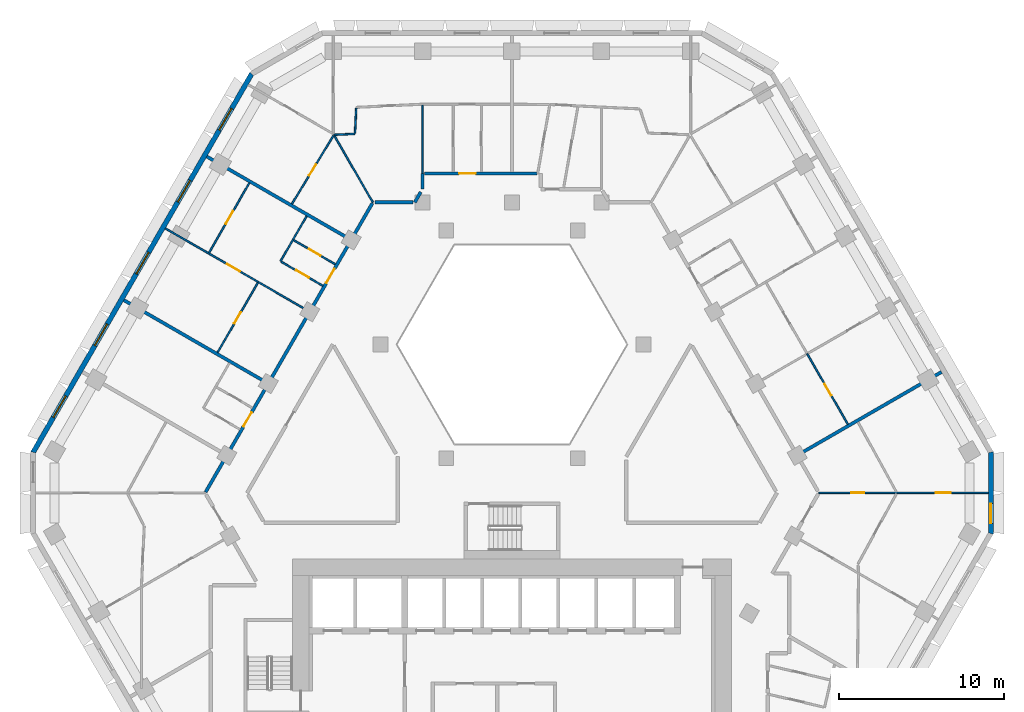
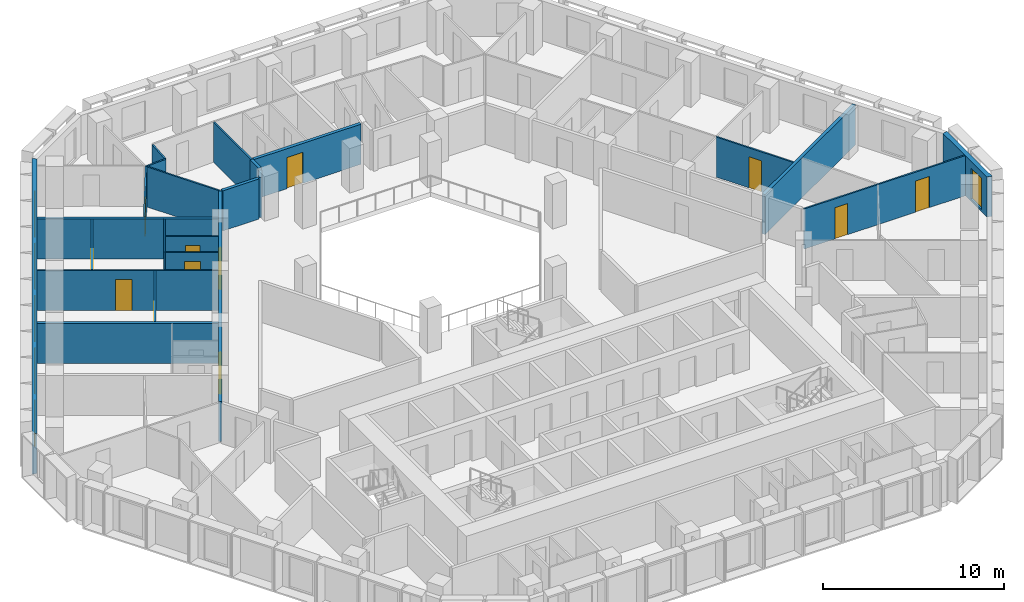
# One storey, part 7 of 15: 23 walls, 12 doors, 6 windows, 18 openings.
"""IFC4 building model written with IfcOpenShell, lengths in metres."""

from ifc_helpers import new_model, si_unit, direction, frame, frame_2d, origin, place, context, subcontext, project, spatial, polyline, rectangle, outline, extrude, material, layer, layer_set, type_object, element, fill, save


model = new_model("IFC4")

# Units and contexts
model_context = context("Model", 3, precision=1e-05, world=origin(), true_north=direction((0.0, 1.0)))
body_context = subcontext(model_context, "Body", "Model", "MODEL_VIEW")
ifc_project = project(units=[si_unit("LENGTHUNIT", "METRE"), si_unit("AREAUNIT", "SQUARE_METRE"), si_unit("VOLUMEUNIT", "CUBIC_METRE"), si_unit("PLANEANGLEUNIT", "RADIAN"), si_unit("MASSUNIT", "GRAM", prefix="KILO")], contexts=[model_context])

# Site, building, storey
site_placement = place(None, origin())
site = spatial("IfcSite", under=ifc_project, at=site_placement, CompositionType="ELEMENT")
building_placement = place(site_placement, origin())
building = spatial("IfcBuilding", under=site, at=building_placement, Name="Beryl Residences", CompositionType="ELEMENT")
storey_placement = place(building_placement, frame((0.0, 0.0, 72.0)))
storey = spatial("IfcBuildingStorey", under=building, at=storey_placement, Name="L21", CompositionType="ELEMENT", Elevation=72.0)

# Wall, openings, windows
ifc_material_1 = material(Name="Composite metal panel with mineral wool insulation")
ifc_layer_1 = layer(ifc_material_1, 0.300048828125)
ifc_layer_set_1 = layer_set([ifc_layer_1], Name="ES1 pale metal composite panel wall 300 mm")
wall_type_1 = type_object("IfcWallType", Name="ES1 pale metal composite panel wall 300 mm", PredefinedType="SOLIDWALL", material=ifc_layer_set_1)
wall_1_placement = place(storey_placement, frame((-15.7470703125, 24.425048828125, 0.0), z_axis=(0.0, 0.0, 1.0), x_axis=(-0.500027479704, -0.866009537788, 0.0)))
wall_1 = element("IfcWall", 1, at=wall_1_placement, inside=storey, type_object=wall_type_1, Name="ES1 external wall L21 NW", PredefinedType="SOLIDWALL", context=body_context, shape_type="SweptSolid", body=[
    extrude(outline(polyline([(0.0, -0.14990234375), (26.55859375, -0.14990234375), (26.478271484375, 0.14990234375), (0.080322265625, 0.14990234375), (0.0, -0.14990234375)])), origin(), (0.0, 0.0, 1.0), 2.699951171875),
])
opening_1_placement = place(wall_1_placement, frame((2.48291015625, 0.0, 0.14990234375)))
opening_1 = element("IfcOpeningElement", 2, at=opening_1_placement, cuts=wall_1, Name="Opening W1", PredefinedType="OPENING", context=body_context, shape_type="SweptSolid", body=[
    extrude(rectangle(XDim=1.5, YDim=2.10009765625, at=frame_2d((0.75, 1.050048828125))), frame((0.0, 0.159912109375, 0.0), z_axis=(0.0, -1.0, 0.0), x_axis=(1.0, 0.0, 0.0)), (0.0, 0.0, 1.0), 0.320068359375),
])
opening_2_placement = place(wall_1_placement, frame((7.506103515625, 0.0, 0.14990234375)))
opening_2 = element("IfcOpeningElement", 3, at=opening_2_placement, cuts=wall_1, Name="Opening W1", PredefinedType="OPENING", context=body_context, shape_type="SweptSolid", body=[
    extrude(rectangle(XDim=1.5, YDim=2.10009765625, at=frame_2d((0.75, 1.050048828125))), frame((0.0, 0.159912109375, 0.0), z_axis=(0.0, -1.0, 0.0), x_axis=(1.0, 0.0, 0.0)), (0.0, 0.0, 1.0), 0.320068359375),
])
opening_3_placement = place(wall_1_placement, frame((12.529052734375, 0.0, 0.14990234375)))
opening_3 = element("IfcOpeningElement", 4, at=opening_3_placement, cuts=wall_1, Name="Opening W1", PredefinedType="OPENING", context=body_context, shape_type="SweptSolid", body=[
    extrude(rectangle(XDim=1.5, YDim=2.10009765625, at=frame_2d((0.75, 1.050048828125))), frame((0.0, 0.159912109375, 0.0), z_axis=(0.0, -1.0, 0.0), x_axis=(1.0, 0.0, 0.0)), (0.0, 0.0, 1.0), 0.320068359375),
])
opening_4_placement = place(wall_1_placement, frame((17.552001953125, 0.0, 0.14990234375)))
opening_4 = element("IfcOpeningElement", 5, at=opening_4_placement, cuts=wall_1, Name="Opening W1", PredefinedType="OPENING", context=body_context, shape_type="SweptSolid", body=[
    extrude(rectangle(XDim=1.5, YDim=2.10009765625, at=frame_2d((0.75, 1.050048828125))), frame((0.0, 0.159912109375, 0.0), z_axis=(0.0, -1.0, 0.0), x_axis=(1.0, 0.0, 0.0)), (0.0, 0.0, 1.0), 0.320068359375),
])
opening_5_placement = place(wall_1_placement, frame((22.574951171875, 0.0, 0.14990234375)))
opening_5 = element("IfcOpeningElement", 6, at=opening_5_placement, cuts=wall_1, Name="Opening W1", PredefinedType="OPENING", context=body_context, shape_type="SweptSolid", body=[
    extrude(rectangle(XDim=1.5, YDim=2.10009765625, at=frame_2d((0.75, 1.050048828125))), frame((0.0, 0.159912109375, 0.0), z_axis=(0.0, -1.0, 0.0), x_axis=(1.0, 0.0, 0.0)), (0.0, 0.0, 1.0), 0.320068359375),
])
ifc_material_2 = material(Name="Aluminium and clear glass", Category="aluminium")
window_type_1 = type_object("IfcWindowType", Name="W1 cell window 1500 x 2100 mm", PartitioningType="SINGLE_PANEL", PredefinedType="WINDOW", material=ifc_material_2)
window_1_placement = place(opening_1_placement, origin())
window_1 = element("IfcWindow", 7, at=window_1_placement, inside=storey, type_object=window_type_1, Name="W1 window L21 NW 2", OverallHeight=2.10009765625, OverallWidth=1.5, PartitioningType="SINGLE_PANEL", PredefinedType="WINDOW", context=body_context, shape_type="SweptSolid", body=[
    extrude(rectangle(XDim=1.5, YDim=2.10009765625, at=frame_2d((0.75, 1.050048828125))), frame((0.0, 0.030029296875, 0.0), z_axis=(0.0, -1.0, 0.0), x_axis=(1.0, 0.0, 0.0)), (0.0, 0.0, 1.0), 0.06005859375),
])
fill(opening_1, window_1)
window_2_placement = place(opening_2_placement, origin())
window_2 = element("IfcWindow", 8, at=window_2_placement, inside=storey, type_object=window_type_1, Name="W1 window L21 NW 4", OverallHeight=2.10009765625, OverallWidth=1.5, PartitioningType="SINGLE_PANEL", PredefinedType="WINDOW", context=body_context, shape_type="SweptSolid", body=[
    extrude(rectangle(XDim=1.5, YDim=2.10009765625, at=frame_2d((0.75, 1.050048828125))), frame((0.0, 0.030029296875, 0.0), z_axis=(0.0, -1.0, 0.0), x_axis=(1.0, 0.0, 0.0)), (0.0, 0.0, 1.0), 0.06005859375),
])
fill(opening_2, window_2)
window_3_placement = place(opening_3_placement, origin())
window_3 = element("IfcWindow", 9, at=window_3_placement, inside=storey, type_object=window_type_1, Name="W1 window L21 NW 6", OverallHeight=2.10009765625, OverallWidth=1.5, PartitioningType="SINGLE_PANEL", PredefinedType="WINDOW", context=body_context, shape_type="SweptSolid", body=[
    extrude(rectangle(XDim=1.5, YDim=2.10009765625, at=frame_2d((0.75, 1.050048828125))), frame((0.0, 0.030029296875, 0.0), z_axis=(0.0, -1.0, 0.0), x_axis=(1.0, 0.0, 0.0)), (0.0, 0.0, 1.0), 0.06005859375),
])
fill(opening_3, window_3)
window_4_placement = place(opening_4_placement, origin())
window_4 = element("IfcWindow", 10, at=window_4_placement, inside=storey, type_object=window_type_1, Name="W1 window L21 NW 8", OverallHeight=2.10009765625, OverallWidth=1.5, PartitioningType="SINGLE_PANEL", PredefinedType="WINDOW", context=body_context, shape_type="SweptSolid", body=[
    extrude(rectangle(XDim=1.5, YDim=2.10009765625, at=frame_2d((0.75, 1.050048828125))), frame((0.0, 0.030029296875, 0.0), z_axis=(0.0, -1.0, 0.0), x_axis=(1.0, 0.0, 0.0)), (0.0, 0.0, 1.0), 0.06005859375),
])
fill(opening_4, window_4)
window_5_placement = place(opening_5_placement, origin())
window_5 = element("IfcWindow", 11, at=window_5_placement, inside=storey, type_object=window_type_1, Name="W1 window L21 NW 10", OverallHeight=2.10009765625, OverallWidth=1.5, PartitioningType="SINGLE_PANEL", PredefinedType="WINDOW", context=body_context, shape_type="SweptSolid", body=[
    extrude(rectangle(XDim=1.5, YDim=2.10009765625, at=frame_2d((0.75, 1.050048828125))), frame((0.0, 0.030029296875, 0.0), z_axis=(0.0, -1.0, 0.0), x_axis=(1.0, 0.0, 0.0)), (0.0, 0.0, 1.0), 0.06005859375),
])
fill(opening_5, window_5)

# Wall, opening, window
wall_2_placement = place(storey_placement, frame((29.007080078125, -3.5, 0.0), z_axis=(0.0, 0.0, 1.0), x_axis=(0.0, 1.0, 0.0)))
wall_2 = element("IfcWall", 12, at=wall_2_placement, inside=storey, type_object=wall_type_1, Name="ES1 external wall L21 SE-NE", PredefinedType="SOLIDWALL", context=body_context, shape_type="SweptSolid", body=[
    extrude(outline(polyline([(0.0, -0.14990234375), (5.0, -0.14990234375), (4.919677734375, 0.14990234375), (0.080322265625, 0.14990234375), (0.0, -0.14990234375)])), origin(), (0.0, 0.0, 1.0), 2.699951171875),
])
opening_6_placement = place(wall_2_placement, frame((0.64990234375, 0.0, 0.14990234375)))
opening_6 = element("IfcOpeningElement", 13, at=opening_6_placement, cuts=wall_2, Name="Opening W2", PredefinedType="OPENING", context=body_context, shape_type="SweptSolid", body=[
    extrude(rectangle(XDim=1.199951171875, YDim=2.10009765625, at=frame_2d((0.60009765625, 1.050048828125))), frame((0.0, 0.159912109375, 0.0), z_axis=(0.0, -1.0, 0.0), x_axis=(1.0, 0.0, 0.0)), (0.0, 0.0, 1.0), 0.320068359375),
])
ifc_material_3 = material(Name="Aluminium and clear glass", Category="aluminium")
window_type_2 = type_object("IfcWindowType", Name="W2 chamfer window 1200 x 2100 mm", PartitioningType="SINGLE_PANEL", PredefinedType="WINDOW", material=ifc_material_3)
window_6_placement = place(opening_6_placement, origin())
window_6 = element("IfcWindow", 14, at=window_6_placement, inside=storey, type_object=window_type_2, Name="W2 window L21 SE-NE 1", OverallHeight=2.10009765625, OverallWidth=1.199951171875, PartitioningType="SINGLE_PANEL", PredefinedType="WINDOW", context=body_context, shape_type="SweptSolid", body=[
    extrude(rectangle(XDim=1.199951171875, YDim=2.10009765625, at=frame_2d((0.60009765625, 1.050048828125))), frame((0.0, 0.030029296875, 0.0), z_axis=(0.0, -1.0, 0.0), x_axis=(1.0, 0.0, 0.0)), (0.0, 0.0, 1.0), 0.06005859375),
])
fill(opening_6, window_6)

# Wall
ifc_material_4 = material(Name="Gypsum board partition on steel studs", Category="steel")
ifc_layer_2 = layer(ifc_material_4, 0.10009765625)
ifc_layer_set_2 = layer_set([ifc_layer_2], Name="PT1 partition 100 mm gypsum board on steel studs")
wall_type_2 = type_object("IfcWallType", Name="PT1 partition 100 mm gypsum board on steel studs", PredefinedType="PARTITIONING", material=ifc_layer_set_2)
wall_3_placement = place(storey_placement, frame((-10.741943359375, 20.60595703125, 0.0), z_axis=(0.0, 0.0, 1.0), x_axis=(0.50003312339, -0.866006279142, 0.0)))
element("IfcWall", 15, at=wall_3_placement, inside=storey, type_object=wall_type_2, Name="Wall PT1 L21 005", PredefinedType="PARTITIONING", context=body_context, shape_type="SweptSolid", body=[
    extrude(rectangle(XDim=4.625732421875, YDim=0.10009765625, at=frame_2d((2.31298828125, 0.0))), origin(), (0.0, 0.0, 1.0), 2.699951171875),
])

# Wall, opening, door
wall_4_placement = place(storey_placement, frame((-13.98095703125, 13.001953125, 0.0), z_axis=(0.0, 0.0, 1.0), x_axis=(0.86595634977, -0.500119585993, 0.0)))
wall_4 = element("IfcWall", 16, at=wall_4_placement, inside=storey, type_object=wall_type_2, Name="Wall PT1 L21 022", PredefinedType="PARTITIONING", context=body_context, shape_type="SweptSolid", body=[
    extrude(rectangle(XDim=2.908935546875, YDim=0.10009765625, at=frame_2d((1.45458984375, 0.0))), origin(), (0.0, 0.0, 1.0), 2.699951171875),
])
opening_7_placement = place(wall_4_placement, frame((1.029052734375, 0.0, 0.0)))
opening_7 = element("IfcOpeningElement", 17, at=opening_7_placement, cuts=wall_4, Name="Opening D0832", PredefinedType="OPENING", context=body_context, shape_type="SweptSolid", body=[
    extrude(rectangle(XDim=0.89990234375, YDim=2.10009765625, at=frame_2d((0.449951171875, 1.050048828125))), frame((0.0, 0.06005859375, 0.0), z_axis=(0.0, -1.0, 0.0), x_axis=(1.0, 0.0, 0.0)), (0.0, 0.0, 1.0), 0.1201171875),
])
ifc_material_5 = material(Name="Timber door leaf", Category="wood")
door_type_1 = type_object("IfcDoorType", Name="D2 room door 900 x 2100 mm", OperationType="SINGLE_SWING_LEFT", PredefinedType="DOOR", material=ifc_material_5)
door_1_placement = place(opening_7_placement, origin())
door_1 = element("IfcDoor", 18, at=door_1_placement, inside=storey, type_object=door_type_1, Name="Door D0832 L21 001", OperationType="SINGLE_SWING_RIGHT", OverallHeight=2.10009765625, OverallWidth=0.89990234375, PredefinedType="DOOR", context=body_context, shape_type="SweptSolid", body=[
    extrude(rectangle(XDim=0.89990234375, YDim=2.10009765625, at=frame_2d((0.449951171875, 1.050048828125))), frame((0.0, 0.02490234375, 0.0), z_axis=(0.0, -1.0, 0.0), x_axis=(1.0, 0.0, 0.0)), (0.0, 0.0, 1.0), 0.050048828125),
])
fill(opening_7, door_1)

wall_5_placement = place(storey_placement, frame((-13.22802734375, 14.30810546875, 0.0), z_axis=(0.0, 0.0, 1.0), x_axis=(0.866003949776, -0.500037157592, 0.0)))
wall_5 = element("IfcWall", 19, at=wall_5_placement, inside=storey, type_object=wall_type_2, Name="Wall PT1 L21 024", PredefinedType="PARTITIONING", context=body_context, shape_type="SweptSolid", body=[
    extrude(rectangle(XDim=2.909912109375, YDim=0.10009765625, at=frame_2d((1.455078125, 0.0))), origin(), (0.0, 0.0, 1.0), 2.699951171875),
])
opening_8_placement = place(wall_5_placement, frame((1.080078125, 0.0, 0.0)))
opening_8 = element("IfcOpeningElement", 20, at=opening_8_placement, cuts=wall_5, Name="Opening D0833", PredefinedType="OPENING", context=body_context, shape_type="SweptSolid", body=[
    extrude(rectangle(XDim=0.800048828125, YDim=2.10009765625, at=frame_2d((0.39990234375, 1.050048828125))), frame((0.0, 0.06005859375, 0.0), z_axis=(0.0, -1.0, 0.0), x_axis=(1.0, 0.0, 0.0)), (0.0, 0.0, 1.0), 0.1201171875),
])
ifc_material_6 = material(Name="Timber door leaf", Category="wood")
door_type_2 = type_object("IfcDoorType", Name="D3 bathroom door 800 x 2100 mm", OperationType="SINGLE_SWING_LEFT", PredefinedType="DOOR", material=ifc_material_6)
door_2_placement = place(opening_8_placement, origin())
door_2 = element("IfcDoor", 21, at=door_2_placement, inside=storey, type_object=door_type_2, Name="Door D0833 L21 001", OperationType="SINGLE_SWING_LEFT", OverallHeight=2.10009765625, OverallWidth=0.800048828125, PredefinedType="DOOR", context=body_context, shape_type="SweptSolid", body=[
    extrude(rectangle(XDim=0.800048828125, YDim=2.10009765625, at=frame_2d((0.39990234375, 1.050048828125))), frame((0.0, 0.02490234375, 0.0), z_axis=(0.0, -1.0, 0.0), x_axis=(1.0, 0.0, 0.0)), (0.0, 0.0, 1.0), 0.050048828125),
])
fill(opening_8, door_2)

wall_6_placement = place(storey_placement, frame((-21.0009765625, 15.02490234375, 0.0), z_axis=(0.0, 0.0, 1.0), x_axis=(0.866016855193, -0.500014806302, 0.0)))
wall_6 = element("IfcWall", 22, at=wall_6_placement, inside=storey, type_object=wall_type_2, Name="Wall PT1 L21 026", PredefinedType="PARTITIONING", context=body_context, shape_type="SweptSolid", body=[
    extrude(rectangle(XDim=9.999755859375, YDim=0.10009765625, at=frame_2d((5.0, 0.0))), origin(), (0.0, 0.0, 1.0), 2.699951171875),
])
opening_9_placement = place(wall_6_placement, frame((4.324951171875, 0.0, 0.0)))
opening_9 = element("IfcOpeningElement", 23, at=opening_9_placement, cuts=wall_6, Name="Opening D0835", PredefinedType="OPENING", context=body_context, shape_type="SweptSolid", body=[
    extrude(rectangle(XDim=0.89990234375, YDim=2.10009765625, at=frame_2d((0.449951171875, 1.050048828125))), frame((0.0, 0.06005859375, 0.0), z_axis=(0.0, -1.0, 0.0), x_axis=(1.0, 0.0, 0.0)), (0.0, 0.0, 1.0), 0.1201171875),
])
door_3_placement = place(opening_9_placement, origin())
door_3 = element("IfcDoor", 24, at=door_3_placement, inside=storey, type_object=door_type_1, Name="Door D0835 L21 001", OperationType="SINGLE_SWING_LEFT", OverallHeight=2.10009765625, OverallWidth=0.89990234375, PredefinedType="DOOR", context=body_context, shape_type="SweptSolid", body=[
    extrude(rectangle(XDim=0.89990234375, YDim=2.10009765625, at=frame_2d((0.449951171875, 1.050048828125))), frame((0.0, 0.02490234375, 0.0), z_axis=(0.0, -1.0, 0.0), x_axis=(1.0, 0.0, 0.0)), (0.0, 0.0, 1.0), 0.050048828125),
])
fill(opening_9, door_3)

# Wall, openings, doors
wall_7_placement = place(storey_placement, frame((18.591064453125, -0.9990234375, 0.0), z_axis=(0.0, 0.0, 1.0), x_axis=(1.0, 0.0, 0.0)))
wall_7 = element("IfcWall", 25, at=wall_7_placement, inside=storey, type_object=wall_type_2, Name="Wall PT1 L21 028", PredefinedType="PARTITIONING", context=body_context, shape_type="SweptSolid", body=[
    extrude(rectangle(XDim=10.265869140625, YDim=0.10009765625, at=frame_2d((5.1328125, 0.0))), origin(), (0.0, 0.0, 1.0), 2.699951171875),
])
opening_10_placement = place(wall_7_placement, frame((1.962890625, 0.0, 0.0)))
opening_10 = element("IfcOpeningElement", 26, at=opening_10_placement, cuts=wall_7, Name="Opening D0803", PredefinedType="OPENING", context=body_context, shape_type="SweptSolid", body=[
    extrude(rectangle(XDim=0.800048828125, YDim=2.10009765625, at=frame_2d((0.39990234375, 1.050048828125))), frame((0.0, 0.06005859375, 0.0), z_axis=(0.0, -1.0, 0.0), x_axis=(1.0, 0.0, 0.0)), (0.0, 0.0, 1.0), 0.1201171875),
])
opening_11_placement = place(wall_7_placement, frame((7.0791015625, 0.0, 0.0)))
opening_11 = element("IfcOpeningElement", 27, at=opening_11_placement, cuts=wall_7, Name="Opening D0806", PredefinedType="OPENING", context=body_context, shape_type="SweptSolid", body=[
    extrude(rectangle(XDim=0.89990234375, YDim=2.10009765625, at=frame_2d((0.449951171875, 1.050048828125))), frame((0.0, 0.06005859375, 0.0), z_axis=(0.0, -1.0, 0.0), x_axis=(1.0, 0.0, 0.0)), (0.0, 0.0, 1.0), 0.1201171875),
])
door_4_placement = place(opening_11_placement, origin())
door_4 = element("IfcDoor", 28, at=door_4_placement, inside=storey, type_object=door_type_1, Name="Door D0806 L21 001", OperationType="SINGLE_SWING_RIGHT", OverallHeight=2.10009765625, OverallWidth=0.89990234375, PredefinedType="DOOR", context=body_context, shape_type="SweptSolid", body=[
    extrude(rectangle(XDim=0.89990234375, YDim=2.10009765625, at=frame_2d((0.449951171875, 1.050048828125))), frame((0.0, 0.02490234375, 0.0), z_axis=(0.0, -1.0, 0.0), x_axis=(1.0, 0.0, 0.0)), (0.0, 0.0, 1.0), 0.050048828125),
])
fill(opening_11, door_4)
door_5_placement = place(opening_10_placement, origin())
door_5 = element("IfcDoor", 29, at=door_5_placement, inside=storey, type_object=door_type_2, Name="Door D0803 L21 001", OperationType="SINGLE_SWING_LEFT", OverallHeight=2.10009765625, OverallWidth=0.800048828125, PredefinedType="DOOR", context=body_context, shape_type="SweptSolid", body=[
    extrude(rectangle(XDim=0.800048828125, YDim=2.10009765625, at=frame_2d((0.39990234375, 1.050048828125))), frame((0.0, 0.02490234375, 0.0), z_axis=(0.0, -1.0, 0.0), x_axis=(1.0, 0.0, 0.0)), (0.0, 0.0, 1.0), 0.050048828125),
])
fill(opening_10, door_5)

# Wall, opening, door
wall_8_placement = place(storey_placement, frame((-13.327880859375, 16.510986328125, 0.0), z_axis=(0.0, 0.0, 1.0), x_axis=(0.518570528669, 0.855034857065, 0.0)))
wall_8 = element("IfcWall", 30, at=wall_8_placement, inside=storey, type_object=wall_type_2, Name="Wall PT1 L21 033", PredefinedType="PARTITIONING", context=body_context, shape_type="SweptSolid", body=[
    extrude(rectangle(XDim=4.830322265625, YDim=0.10009765625, at=frame_2d((2.4150390625, 0.0))), origin(), (0.0, 0.0, 1.0), 2.699951171875),
])
opening_12_placement = place(wall_8_placement, frame((1.9951171875, 0.0, 0.0)))
opening_12 = element("IfcOpeningElement", 31, at=opening_12_placement, cuts=wall_8, Name="Opening D0830", PredefinedType="OPENING", context=body_context, shape_type="SweptSolid", body=[
    extrude(rectangle(XDim=0.800048828125, YDim=2.10009765625, at=frame_2d((0.39990234375, 1.050048828125))), frame((0.0, 0.06005859375, 0.0), z_axis=(0.0, -1.0, 0.0), x_axis=(1.0, 0.0, 0.0)), (0.0, 0.0, 1.0), 0.1201171875),
])
door_6_placement = place(opening_12_placement, origin())
door_6 = element("IfcDoor", 32, at=door_6_placement, inside=storey, type_object=door_type_2, Name="Door D0830 L21 001", OperationType="SINGLE_SWING_RIGHT", OverallHeight=2.10009765625, OverallWidth=0.800048828125, PredefinedType="DOOR", context=body_context, shape_type="SweptSolid", body=[
    extrude(rectangle(XDim=0.800048828125, YDim=2.10009765625, at=frame_2d((0.39990234375, 1.050048828125))), frame((0.0, 0.02490234375, 0.0), z_axis=(0.0, -1.0, 0.0), x_axis=(1.0, 0.0, 0.0)), (0.0, 0.0, 1.0), 0.050048828125),
])
fill(opening_12, door_6)

# Wall
wall_9_placement = place(storey_placement, frame((-14.02490234375, 13.028076171875, 0.0), z_axis=(0.0, 0.0, 1.0), x_axis=(0.499965154568, 0.866045520869, 0.0)))
element("IfcWall", 33, at=wall_9_placement, inside=storey, type_object=wall_type_2, Name="Wall PT1 L21 036", PredefinedType="PARTITIONING", context=body_context, shape_type="SweptSolid", body=[
    extrude(rectangle(XDim=3.163818359375, YDim=0.10009765625, at=frame_2d((1.58203125, 0.0))), origin(), (0.0, 0.0, 1.0), 2.699951171875),
])

# Wall, opening, door
wall_10_placement = place(storey_placement, frame((-17.833984375, 7.511962890625, 0.0), z_axis=(0.0, 0.0, 1.0), x_axis=(0.500093956194, 0.865971151354, 0.0)))
wall_10 = element("IfcWall", 34, at=wall_10_placement, inside=storey, type_object=wall_type_2, Name="Wall PT1 L21 037", PredefinedType="PARTITIONING", context=body_context, shape_type="SweptSolid", body=[
    extrude(rectangle(XDim=4.873046875, YDim=0.10009765625, at=frame_2d((2.4365234375, 0.0))), origin(), (0.0, 0.0, 1.0), 2.699951171875),
])
opening_13_placement = place(wall_10_placement, frame((2.011962890625, 0.0, 0.0)))
opening_13 = element("IfcOpeningElement", 35, at=opening_13_placement, cuts=wall_10, Name="Opening D0836", PredefinedType="OPENING", context=body_context, shape_type="SweptSolid", body=[
    extrude(rectangle(XDim=0.800048828125, YDim=2.10009765625, at=frame_2d((0.39990234375, 1.050048828125))), frame((0.0, 0.06005859375, 0.0), z_axis=(0.0, -1.0, 0.0), x_axis=(1.0, 0.0, 0.0)), (0.0, 0.0, 1.0), 0.1201171875),
])
door_7_placement = place(opening_13_placement, origin())
door_7 = element("IfcDoor", 36, at=door_7_placement, inside=storey, type_object=door_type_2, Name="Door D0836 L21 001", OperationType="SINGLE_SWING_RIGHT", OverallHeight=2.10009765625, OverallWidth=0.800048828125, PredefinedType="DOOR", context=body_context, shape_type="SweptSolid", body=[
    extrude(rectangle(XDim=0.800048828125, YDim=2.10009765625, at=frame_2d((0.39990234375, 1.050048828125))), frame((0.0, 0.02490234375, 0.0), z_axis=(0.0, -1.0, 0.0), x_axis=(1.0, 0.0, 0.0)), (0.0, 0.0, 1.0), 0.050048828125),
])
fill(opening_13, door_7)

wall_11_placement = place(storey_placement, frame((-18.35205078125, 13.552978515625, 0.0), z_axis=(0.0, 0.0, 1.0), x_axis=(0.500007182864, 0.866021256716, 0.0)))
wall_11 = element("IfcWall", 37, at=wall_11_placement, inside=storey, type_object=wall_type_2, Name="Wall PT1 L21 038", PredefinedType="PARTITIONING", context=body_context, shape_type="SweptSolid", body=[
    extrude(rectangle(XDim=4.8740234375, YDim=0.10009765625, at=frame_2d((2.43701171875, 0.0))), origin(), (0.0, 0.0, 1.0), 2.699951171875),
])
opening_14_placement = place(wall_11_placement, frame((2.011962890625, 0.0, 0.0)))
opening_14 = element("IfcOpeningElement", 38, at=opening_14_placement, cuts=wall_11, Name="Opening D0834", PredefinedType="OPENING", context=body_context, shape_type="SweptSolid", body=[
    extrude(rectangle(XDim=0.89990234375, YDim=2.10009765625, at=frame_2d((0.449951171875, 1.050048828125))), frame((0.0, 0.06005859375, 0.0), z_axis=(0.0, -1.0, 0.0), x_axis=(1.0, 0.0, 0.0)), (0.0, 0.0, 1.0), 0.1201171875),
])
door_8_placement = place(opening_14_placement, origin())
door_8 = element("IfcDoor", 39, at=door_8_placement, inside=storey, type_object=door_type_1, Name="Door D0834 L21 001", OperationType="SINGLE_SWING_RIGHT", OverallHeight=2.10009765625, OverallWidth=0.89990234375, PredefinedType="DOOR", context=body_context, shape_type="SweptSolid", body=[
    extrude(rectangle(XDim=0.89990234375, YDim=2.10009765625, at=frame_2d((0.449951171875, 1.050048828125))), frame((0.0, 0.02490234375, 0.0), z_axis=(0.0, -1.0, 0.0), x_axis=(1.0, 0.0, 0.0)), (0.0, 0.0, 1.0), 0.050048828125),
])
fill(opening_14, door_8)

# Walls
wall_12_placement = place(storey_placement, frame((-9.511962890625, 20.802978515625, 0.0), z_axis=(0.0, 0.0, 1.0), x_axis=(0.049089165168, 0.998794400196, 0.0)))
element("IfcWall", 40, at=wall_12_placement, inside=storey, type_object=wall_type_2, Name="Wall PT1 L21 044", PredefinedType="PARTITIONING", context=body_context, shape_type="SweptSolid", body=[
    extrude(rectangle(XDim=1.5068359375, YDim=0.10009765625, at=frame_2d((0.75341796875, 0.0))), origin(), (0.0, 0.0, 1.0), 2.699951171875),
])
wall_13_placement = place(storey_placement, frame((-5.4140625, 18.35009765625, 0.0), z_axis=(0.0, 0.0, 1.0), x_axis=(0.0, 1.0, 0.0)))
element("IfcWall", 41, at=wall_13_placement, inside=storey, type_object=wall_type_2, Name="Wall PT1 L21 054", PredefinedType="PARTITIONING", context=body_context, shape_type="SweptSolid", body=[
    extrude(rectangle(XDim=4.14990234375, YDim=0.10009765625, at=frame_2d((2.074951171875, 0.0))), origin(), (0.0, 0.0, 1.0), 2.699951171875),
])
wall_14_placement = place(storey_placement, frame((-10.7919921875, 20.69189453125, 0.0), z_axis=(0.0, 0.0, 1.0), x_axis=(0.998861653202, 0.04770112957, 0.0)))
element("IfcWall", 42, at=wall_14_placement, inside=storey, type_object=wall_type_2, Name="Wall PT1 L21 061", PredefinedType="PARTITIONING", context=body_context, shape_type="SweptSolid", body=[
    extrude(rectangle(XDim=1.279541015625, YDim=0.10009765625, at=frame_2d((0.6396484375, 0.0))), origin(), (0.0, 0.0, 1.0), 2.699951171875),
])

# Wall, opening, door
wall_15_placement = place(storey_placement, frame((17.884033203125, 7.425048828125, 0.0), z_axis=(0.0, 0.0, 1.0), x_axis=(0.500000007376, -0.866025399526, 0.0)))
wall_15 = element("IfcWall", 43, at=wall_15_placement, inside=storey, type_object=wall_type_2, Name="Wall PT1 L21 070", PredefinedType="PARTITIONING", context=body_context, shape_type="SweptSolid", body=[
    extrude(rectangle(XDim=4.923828125, YDim=0.10009765625, at=frame_2d((2.4619140625, 0.0))), origin(), (0.0, 0.0, 1.0), 2.699951171875),
])
opening_15_placement = place(wall_15_placement, frame((2.112060546875, 0.0, 0.0)))
opening_15 = element("IfcOpeningElement", 44, at=opening_15_placement, cuts=wall_15, Name="Opening D0813", PredefinedType="OPENING", context=body_context, shape_type="SweptSolid", body=[
    extrude(rectangle(XDim=0.800048828125, YDim=2.10009765625, at=frame_2d((0.39990234375, 1.050048828125))), frame((0.0, 0.06005859375, 0.0), z_axis=(0.0, -1.0, 0.0), x_axis=(1.0, 0.0, 0.0)), (0.0, 0.0, 1.0), 0.1201171875),
])
door_9_placement = place(opening_15_placement, origin())
door_9 = element("IfcDoor", 45, at=door_9_placement, inside=storey, type_object=door_type_2, Name="Door D0813 L21 001", OperationType="SINGLE_SWING_LEFT", OverallHeight=2.10009765625, OverallWidth=0.800048828125, PredefinedType="DOOR", context=body_context, shape_type="SweptSolid", body=[
    extrude(rectangle(XDim=0.800048828125, YDim=2.10009765625, at=frame_2d((0.39990234375, 1.050048828125))), frame((0.0, 0.02490234375, 0.0), z_axis=(0.0, -1.0, 0.0), x_axis=(1.0, 0.0, 0.0)), (0.0, 0.0, 1.0), 0.050048828125),
])
fill(opening_15, door_9)

# Walls
ifc_material_7 = material(Name="Acoustic double stud gypsum board wall")
ifc_layer_3 = layer(ifc_material_7, 0.199951171875)
ifc_layer_set_3 = layer_set([ifc_layer_3], Name="PT3 party wall 200 mm acoustic double stud")
wall_type_3 = type_object("IfcWallType", Name="PT3 party wall 200 mm acoustic double stud", PredefinedType="PARTITIONING", material=ifc_layer_set_3)
wall_16_placement = place(storey_placement, frame((-23.512939453125, 10.675048828125, 0.0), z_axis=(0.0, 0.0, 1.0), x_axis=(0.866041268327, -0.499972520799, 0.0)))
element("IfcWall", 46, at=wall_16_placement, inside=storey, type_object=wall_type_3, Name="Wall PT3 L21 005", PredefinedType="PARTITIONING", context=body_context, shape_type="SweptSolid", body=[
    extrude(rectangle(XDim=10.00048828125, YDim=0.199951171875, at=frame_2d((5.000244140625, 0.0))), origin(), (0.0, 0.0, 1.0), 2.699951171875),
])
for number, where, z_axis, x_axis, name in (
    (47, (-18.489013671875, 19.375, 0.0), (0.0, 0.0, 1.0), (0.866016855193, -0.500014806302, 0.0), "Wall PT3 L21 007"),
    (48, (17.364990234375, 1.324951171875, 0.0), (0.0, 0.0, 1.0), (0.866016855193, 0.500014806302, 0.0), "Wall PT3 L21 011"),
):
    element("IfcWall", number, at=place(storey_placement, frame(where, z_axis=z_axis, x_axis=x_axis)), inside=storey, type_object=wall_type_3, Name=name, PredefinedType="PARTITIONING", context=body_context, shape_type="SweptSolid", body=[
        extrude(rectangle(XDim=9.999755859375, YDim=0.199951171875, at=frame_2d((5.0, 0.0))), origin(), (0.0, 0.0, 1.0), 2.699951171875),
    ])
ifc_material_8 = material(Name="Double stud gypsum board wall")
ifc_layer_4 = layer(ifc_material_8, 0.199951171875)
ifc_layer_set_4 = layer_set([ifc_layer_4], Name="PT4 corridor wall 200 mm double stud")
wall_type_4 = type_object("IfcWallType", Name="PT4 corridor wall 200 mm double stud", PredefinedType="PARTITIONING", material=ifc_layer_set_4)
wall_17_placement = place(storey_placement, frame((-8.31396484375, 16.60009765625, 0.0), z_axis=(0.0, 0.0, 1.0), x_axis=(1.0, 0.0, 0.0)))
element("IfcWall", 49, at=wall_17_placement, inside=storey, type_object=wall_type_4, Name="Wall PT4 L21 020", PredefinedType="PARTITIONING", context=body_context, shape_type="SweptSolid", body=[
    extrude(rectangle(XDim=2.30908203125, YDim=0.199951171875, at=frame_2d((1.154541015625, 0.0))), origin(), (0.0, 0.0, 1.0), 2.699951171875),
])

# Wall, opening, door
wall_18_placement = place(storey_placement, frame((-5.31396484375, 18.35009765625, 0.0), z_axis=(0.0, 0.0, 1.0), x_axis=(1.0, 0.0, 0.0)))
wall_18 = element("IfcWall", 50, at=wall_18_placement, inside=storey, type_object=wall_type_4, Name="Wall PT4 L21 023", PredefinedType="PARTITIONING", context=body_context, shape_type="SweptSolid", body=[
    extrude(rectangle(XDim=6.821044921875, YDim=0.199951171875, at=frame_2d((3.41064453125, 0.0))), origin(), (0.0, 0.0, 1.0), 2.699951171875),
])
opening_16_placement = place(wall_18_placement, frame((2.10595703125, 0.0, 0.0)))
opening_16 = element("IfcOpeningElement", 51, at=opening_16_placement, cuts=wall_18, Name="Opening D0823", PredefinedType="OPENING", context=body_context, shape_type="SweptSolid", body=[
    extrude(rectangle(XDim=1.0, YDim=2.10009765625, at=frame_2d((0.5, 1.050048828125))), frame((0.0, 0.10986328125, 0.0), z_axis=(0.0, -1.0, 0.0), x_axis=(1.0, 0.0, 0.0)), (0.0, 0.0, 1.0), 0.219970703125),
])
ifc_material_9 = material(Name="Timber door leaf", Category="wood")
door_type_3 = type_object("IfcDoorType", Name="D1 flat entrance door 1000 x 2100 mm", OperationType="SINGLE_SWING_LEFT", PredefinedType="DOOR", material=ifc_material_9)
door_10_placement = place(opening_16_placement, origin())
door_10 = element("IfcDoor", 52, at=door_10_placement, inside=storey, type_object=door_type_3, Name="Door D0823 L21 001", OperationType="SINGLE_SWING_LEFT", OverallHeight=2.10009765625, OverallWidth=1.0, PredefinedType="DOOR", context=body_context, shape_type="SweptSolid", body=[
    extrude(rectangle(XDim=1.0, YDim=2.10009765625, at=frame_2d((0.5, 1.050048828125))), frame((0.0, 0.02490234375, 0.0), z_axis=(0.0, -1.0, 0.0), x_axis=(1.0, 0.0, 0.0)), (0.0, 0.0, 1.0), 0.050048828125),
])
fill(opening_16, door_10)

# Wall
wall_19_placement = place(storey_placement, frame((-5.888916015625, 16.60009765625, 0.0), z_axis=(0.0, 0.0, 1.0), x_axis=(0.499839240638, 0.866118198353, 0.0)))
element("IfcWall", 53, at=wall_19_placement, inside=storey, type_object=wall_type_4, Name="Wall PT4 L21 028", PredefinedType="PARTITIONING", context=body_context, shape_type="SweptSolid", body=[
    extrude(rectangle(XDim=0.723876953125, YDim=0.199951171875, at=frame_2d((0.36181640625, 0.0))), origin(), (0.0, 0.0, 1.0), 2.699951171875),
])

# Wall, openings, doors
wall_20_placement = place(storey_placement, frame((-18.56201171875, -0.950927734375, 0.0), z_axis=(0.0, 0.0, 1.0), x_axis=(0.499992962407, 0.866029466902, 0.0)))
wall_20 = element("IfcWall", 54, at=wall_20_placement, inside=storey, type_object=wall_type_4, Name="Wall PT4 L21 029", PredefinedType="PARTITIONING", context=body_context, shape_type="SweptSolid", body=[
    extrude(rectangle(XDim=20.208251953125, YDim=0.199951171875, at=frame_2d((10.10400390625, 0.0))), origin(), (0.0, 0.0, 1.0), 2.699951171875),
])
opening_17_placement = place(wall_20_placement, frame((14.626953125, 0.0, 0.0)))
opening_17 = element("IfcOpeningElement", 55, at=opening_17_placement, cuts=wall_20, Name="Opening D0831", PredefinedType="OPENING", context=body_context, shape_type="SweptSolid", body=[
    extrude(rectangle(XDim=1.0, YDim=2.10009765625, at=frame_2d((0.5, 1.050048828125))), frame((0.0, 0.10986328125, 0.0), z_axis=(0.0, -1.0, 0.0), x_axis=(1.0, 0.0, 0.0)), (0.0, 0.0, 1.0), 0.219970703125),
])
opening_18_placement = place(wall_20_placement, frame((4.5810546875, 0.0, 0.0)))
opening_18 = element("IfcOpeningElement", 56, at=opening_18_placement, cuts=wall_20, Name="Opening D0837", PredefinedType="OPENING", context=body_context, shape_type="SweptSolid", body=[
    extrude(rectangle(XDim=1.0, YDim=2.10009765625, at=frame_2d((0.5, 1.050048828125))), frame((0.0, 0.10986328125, 0.0), z_axis=(0.0, -1.0, 0.0), x_axis=(1.0, 0.0, 0.0)), (0.0, 0.0, 1.0), 0.219970703125),
])
door_11_placement = place(opening_17_placement, origin())
door_11 = element("IfcDoor", 57, at=door_11_placement, inside=storey, type_object=door_type_3, Name="Door D0831 L21 001", OperationType="SINGLE_SWING_LEFT", OverallHeight=2.10009765625, OverallWidth=1.0, PredefinedType="DOOR", context=body_context, shape_type="SweptSolid", body=[
    extrude(rectangle(XDim=1.0, YDim=2.10009765625, at=frame_2d((0.5, 1.050048828125))), frame((0.0, 0.02490234375, 0.0), z_axis=(0.0, -1.0, 0.0), x_axis=(1.0, 0.0, 0.0)), (0.0, 0.0, 1.0), 0.050048828125),
])
fill(opening_17, door_11)
door_12_placement = place(opening_18_placement, origin())
door_12 = element("IfcDoor", 58, at=door_12_placement, inside=storey, type_object=door_type_3, Name="Door D0837 L21 001", OperationType="SINGLE_SWING_LEFT", OverallHeight=2.10009765625, OverallWidth=1.0, PredefinedType="DOOR", context=body_context, shape_type="SweptSolid", body=[
    extrude(rectangle(XDim=1.0, YDim=2.10009765625, at=frame_2d((0.5, 1.050048828125))), frame((0.0, 0.02490234375, 0.0), z_axis=(0.0, -1.0, 0.0), x_axis=(1.0, 0.0, 0.0)), (0.0, 0.0, 1.0), 0.050048828125),
])
fill(opening_18, door_12)

# Wall
wall_21_placement = place(storey_placement, frame((-5.427001953125, 17.39990234375, 0.0), z_axis=(0.0, 0.0, 1.0), x_axis=(0.0, 1.0, 0.0)))
element("IfcWall", 59, at=wall_21_placement, inside=storey, type_object=wall_type_4, Name="Wall PT4 L21 033", PredefinedType="PARTITIONING", context=body_context, shape_type="SweptSolid", body=[
    extrude(rectangle(XDim=0.9501953125, YDim=0.199951171875, at=frame_2d((0.47509765625, 0.0))), origin(), (0.0, 0.0, 1.0), 2.699951171875),
])

save(model, "model.ifc")
